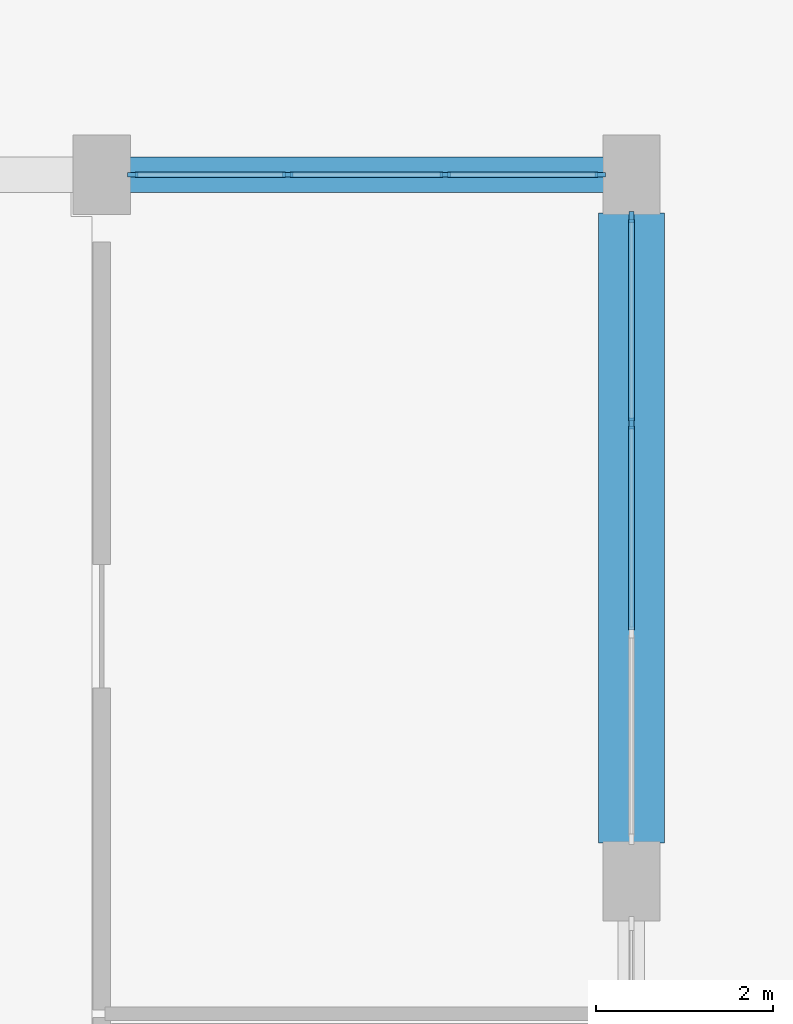
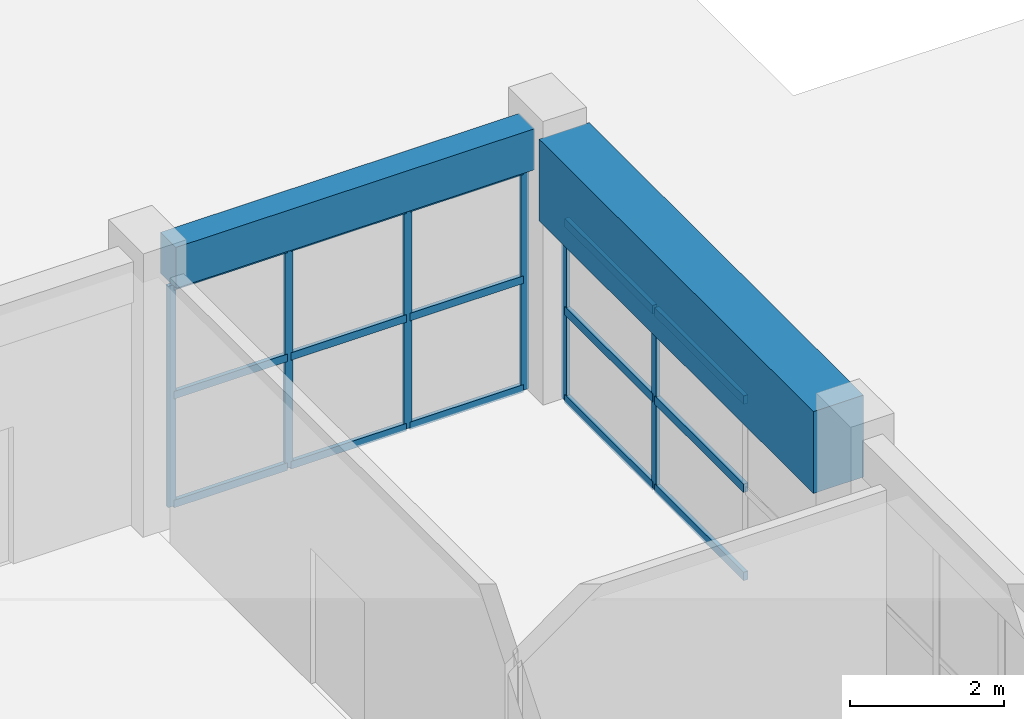
# One storey, part 28 of 76: 21 members, 2 beams, 2 elements without a shape of their own.
"""IFC4 building model written with IfcOpenShell, lengths in metres."""

from ifc_helpers import new_model, si_unit, direction, frame, origin, origin_2d, place, context, subcontext, project, spatial, rectangle, extrude, material, layer, layer_set, material_profile, profile_set, type_object, element, aggregate, save


model = new_model("IFC4")

# Units and contexts
model_context = context("Model", 3, precision=1e-05, world=origin(), true_north=direction((0.0, 1.0)))
body_context = subcontext(model_context, "Body", "Model", "MODEL_VIEW")
ifc_project = project(units=[si_unit("LENGTHUNIT", "METRE"), si_unit("AREAUNIT", "SQUARE_METRE"), si_unit("VOLUMEUNIT", "CUBIC_METRE"), si_unit("PLANEANGLEUNIT", "RADIAN"), si_unit("MASSUNIT", "GRAM", prefix="KILO"), si_unit("POWERUNIT", "WATT"), si_unit("THERMODYNAMICTEMPERATUREUNIT", "KELVIN")], contexts=[model_context])

# Site, building, storey
site_placement = place(None, origin())
site = spatial("IfcSite", under=ifc_project, at=site_placement, CompositionType="ELEMENT")
building_placement = place(site_placement, origin())
building = spatial("IfcBuilding", under=site, at=building_placement, Name="Ruvembo Vaulted Housing Court", CompositionType="ELEMENT")
storey_placement = place(building_placement, origin())
storey = spatial("IfcBuildingStorey", under=building, at=storey_placement, Name="L00", CompositionType="ELEMENT", Elevation=0.0)

# Beam
ifc_material_1 = material(Name="Concrete C35/45", Category="concrete")
ifc_material_profile_1 = material_profile(ifc_material_1, rectangle(XDim=0.39990234375, YDim=0.64990234375, at=origin_2d()), Name="RC 400x650")
ifc_profile_set_1 = profile_set([ifc_material_profile_1], Name="Concrete C35/45")
beam_type_1 = type_object("IfcBeamType", Name="BM-RC-400x650", PredefinedType="BEAM", material=ifc_profile_set_1)
beam_1_placement = place(storey_placement, frame((102.31005859375, 68.0, 3.905029296875), z_axis=(1.0, 0.0, 0.0), x_axis=(0.0, 1.0, 0.0)))
element("IfcBeam", 1, at=beam_1_placement, inside=storey, type_object=beam_type_1, Name="L00 Grid Beam X #851", PredefinedType="BEAM", context=body_context, shape_type="SweptSolid", body=[
    extrude(rectangle(XDim=0.39990234375, YDim=0.64990234375, at=origin_2d()), origin(), (0.0, 0.0, 1.0), 5.3798828125),
])

# Curtain wall, members
ifc_material_2 = material(Name="Anodised Aluminium and Solar-Control Glass", Category="aluminium")
ifc_layer_1 = layer(ifc_material_2, 0.159912109375, Name="Anodised Aluminium and Solar-Control Glass")
ifc_layer_set_1 = layer_set([ifc_layer_1], Name="Anodised Aluminium and Solar-Control Glass")
curtain_wall_type_1 = type_object("IfcCurtainWallType", Name="CW-HALL-SIDE", PredefinedType="NOTDEFINED", material=ifc_layer_set_1)
curtain_wall_1_placement = place(storey_placement, origin())
curtain_wall_1 = element("IfcCurtainWall", 2, at=curtain_wall_1_placement, inside=storey, type_object=curtain_wall_type_1, Name="L00 Curtain Wall CW-L00-0111", PredefinedType="NOTDEFINED")
ifc_material_3 = material(Name="Anodised Aluminium 6063-T6", Category="aluminium")
ifc_material_profile_2 = material_profile(ifc_material_3, rectangle(XDim=0.054931640625, YDim=0.1201171875, at=origin_2d()), Name="ALU 55x120")
ifc_profile_set_2 = profile_set([ifc_material_profile_2], Name="Anodised Aluminium 6063-T6")
member_type_1 = type_object("IfcMemberType", Name="CW-MUL-55x120", PredefinedType="MULLION", material=ifc_profile_set_2)
member_1_placement = place(storey_placement, frame((102.3525390625, 68.0, 0.0), z_axis=(0.0, 0.0, 1.0), x_axis=(0.0, 1.0, 0.0)))
member_1 = element("IfcMember", 3, at=member_1_placement, type_object=member_type_1, Name="CW1 mullion 1", PredefinedType="MULLION", context=body_context, shape_type="SweptSolid", body=[
    extrude(rectangle(XDim=0.054931640625, YDim=0.1201171875, at=origin_2d()), origin(), (0.0, 0.0, 1.0), 3.511962890625),
])
member_2_placement = place(storey_placement, frame((104.1083984375, 68.0, 0.0), z_axis=(0.0, 0.0, 1.0), x_axis=(0.0, 1.0, 0.0)))
member_2 = element("IfcMember", 4, at=member_2_placement, type_object=member_type_1, Name="CW1 mullion 2", PredefinedType="MULLION", context=body_context, shape_type="SweptSolid", body=[
    extrude(rectangle(XDim=0.054931640625, YDim=0.1201171875, at=origin_2d()), origin(), (0.0, 0.0, 1.0), 3.511962890625),
])
member_3_placement = place(storey_placement, frame((105.8916015625, 68.0, 0.0), z_axis=(0.0, 0.0, 1.0), x_axis=(0.0, 1.0, 0.0)))
member_3 = element("IfcMember", 5, at=member_3_placement, type_object=member_type_1, Name="CW1 mullion 3", PredefinedType="MULLION", context=body_context, shape_type="SweptSolid", body=[
    extrude(rectangle(XDim=0.054931640625, YDim=0.1201171875, at=origin_2d()), origin(), (0.0, 0.0, 1.0), 3.511962890625),
])
member_4_placement = place(storey_placement, frame((107.6474609375, 68.0, 0.0), z_axis=(0.0, 0.0, 1.0), x_axis=(0.0, 1.0, 0.0)))
member_4 = element("IfcMember", 6, at=member_4_placement, type_object=member_type_1, Name="CW1 mullion 4", PredefinedType="MULLION", context=body_context, shape_type="SweptSolid", body=[
    extrude(rectangle(XDim=0.054931640625, YDim=0.1201171875, at=origin_2d()), origin(), (0.0, 0.0, 1.0), 3.511962890625),
])

ifc_layer_2 = layer(ifc_material_2, 0.179931640625, Name="Anodised Aluminium and Solar-Control Glass")
ifc_layer_set_2 = layer_set([ifc_layer_2], Name="Anodised Aluminium and Solar-Control Glass")
curtain_wall_type_2 = type_object("IfcCurtainWallType", Name="CW-HALL-TYMP", PredefinedType="NOTDEFINED", material=ifc_layer_set_2)
curtain_wall_2_placement = place(storey_placement, origin())
curtain_wall_2 = element("IfcCurtainWall", 7, at=curtain_wall_2_placement, inside=storey, type_object=curtain_wall_type_2, Name="L00 Curtain Wall CW-L00-0127", PredefinedType="NOTDEFINED")
member_5_placement = place(storey_placement, frame((108.0, 65.183349609375, 0.0), z_axis=(0.0, 0.0, 1.0), x_axis=(-1.0, 0.0, 0.0)))
member_5 = element("IfcMember", 8, at=member_5_placement, type_object=member_type_1, Name="CW2 mullion 3", PredefinedType="MULLION", context=body_context, shape_type="SweptSolid", body=[
    extrude(rectangle(XDim=0.054931640625, YDim=0.1201171875, at=origin_2d()), origin(), (0.0, 0.0, 1.0), 2.862060546875),
])
member_6_placement = place(storey_placement, frame((108.0, 67.5224609375, 0.0), z_axis=(0.0, 0.0, 1.0), x_axis=(-1.0, 0.0, 0.0)))
member_6 = element("IfcMember", 9, at=member_6_placement, type_object=member_type_1, Name="CW2 mullion 4", PredefinedType="MULLION", context=body_context, shape_type="SweptSolid", body=[
    extrude(rectangle(XDim=0.054931640625, YDim=0.1201171875, at=origin_2d()), origin(), (0.0, 0.0, 1.0), 2.862060546875),
])

# Member
ifc_material_profile_3 = material_profile(ifc_material_3, rectangle(XDim=0.06005859375, YDim=0.1201171875, at=origin_2d()), Name="ALU 60x120")
ifc_profile_set_3 = profile_set([ifc_material_profile_3], Name="Anodised Aluminium 6063-T6")
member_type_2 = type_object("IfcMemberType", Name="CW-TRANSOM-65x120", PredefinedType="USERDEFINED", material=ifc_profile_set_3)
member_7_placement = place(storey_placement, frame((102.3798828125, 68.0, 0.030029296875), z_axis=(1.0, 0.0, 0.0), x_axis=(0.0, 1.0, 0.0)))
member_7 = element("IfcMember", 10, at=member_7_placement, type_object=member_type_2, Name="CW1 transom 1.1", ObjectType="TRANSOM", PredefinedType="USERDEFINED", context=body_context, shape_type="SweptSolid", body=[
    extrude(rectangle(XDim=0.06005859375, YDim=0.1201171875, at=origin_2d()), origin(), (0.0, 0.0, 1.0), 1.700927734375),
])

member_8_placement = place(storey_placement, frame((102.3798828125, 68.0, 1.756103515625), z_axis=(1.0, 0.0, 0.0), x_axis=(0.0, 1.0, 0.0)))
member_8 = element("IfcMember", 11, at=member_8_placement, type_object=member_type_2, Name="CW1 transom 1.2", ObjectType="TRANSOM", PredefinedType="USERDEFINED", context=body_context, shape_type="SweptSolid", body=[
    extrude(rectangle(XDim=0.06005859375, YDim=0.1201171875, at=origin_2d()), origin(), (0.0, 0.0, 1.0), 1.700927734375),
])

member_9_placement = place(storey_placement, frame((102.3798828125, 68.0, 3.48193359375), z_axis=(1.0, 0.0, 0.0), x_axis=(0.0, 1.0, 0.0)))
member_9 = element("IfcMember", 12, at=member_9_placement, type_object=member_type_2, Name="CW1 transom 1.3", ObjectType="TRANSOM", PredefinedType="USERDEFINED", context=body_context, shape_type="SweptSolid", body=[
    extrude(rectangle(XDim=0.06005859375, YDim=0.1201171875, at=origin_2d()), origin(), (0.0, 0.0, 1.0), 1.700927734375),
])

member_10_placement = place(storey_placement, frame((104.1357421875, 68.0, 0.030029296875), z_axis=(1.0, 0.0, 0.0), x_axis=(0.0, 1.0, 0.0)))
member_10 = element("IfcMember", 13, at=member_10_placement, type_object=member_type_2, Name="CW1 transom 2.1", ObjectType="TRANSOM", PredefinedType="USERDEFINED", context=body_context, shape_type="SweptSolid", body=[
    extrude(rectangle(XDim=0.06005859375, YDim=0.1201171875, at=origin_2d()), origin(), (0.0, 0.0, 1.0), 1.728515625),
])

member_11_placement = place(storey_placement, frame((104.1357421875, 68.0, 1.756103515625), z_axis=(1.0, 0.0, 0.0), x_axis=(0.0, 1.0, 0.0)))
member_11 = element("IfcMember", 14, at=member_11_placement, type_object=member_type_2, Name="CW1 transom 2.2", ObjectType="TRANSOM", PredefinedType="USERDEFINED", context=body_context, shape_type="SweptSolid", body=[
    extrude(rectangle(XDim=0.06005859375, YDim=0.1201171875, at=origin_2d()), origin(), (0.0, 0.0, 1.0), 1.728515625),
])

member_12_placement = place(storey_placement, frame((104.1357421875, 68.0, 3.48193359375), z_axis=(1.0, 0.0, 0.0), x_axis=(0.0, 1.0, 0.0)))
member_12 = element("IfcMember", 15, at=member_12_placement, type_object=member_type_2, Name="CW1 transom 2.3", ObjectType="TRANSOM", PredefinedType="USERDEFINED", context=body_context, shape_type="SweptSolid", body=[
    extrude(rectangle(XDim=0.06005859375, YDim=0.1201171875, at=origin_2d()), origin(), (0.0, 0.0, 1.0), 1.728515625),
])

member_13_placement = place(storey_placement, frame((105.919189453125, 68.0, 0.030029296875), z_axis=(1.0, 0.0, 0.0), x_axis=(0.0, 1.0, 0.0)))
member_13 = element("IfcMember", 16, at=member_13_placement, type_object=member_type_2, Name="CW1 transom 3.1", ObjectType="TRANSOM", PredefinedType="USERDEFINED", context=body_context, shape_type="SweptSolid", body=[
    extrude(rectangle(XDim=0.06005859375, YDim=0.1201171875, at=origin_2d()), origin(), (0.0, 0.0, 1.0), 1.700927734375),
])

member_14_placement = place(storey_placement, frame((105.919189453125, 68.0, 1.756103515625), z_axis=(1.0, 0.0, 0.0), x_axis=(0.0, 1.0, 0.0)))
member_14 = element("IfcMember", 17, at=member_14_placement, type_object=member_type_2, Name="CW1 transom 3.2", ObjectType="TRANSOM", PredefinedType="USERDEFINED", context=body_context, shape_type="SweptSolid", body=[
    extrude(rectangle(XDim=0.06005859375, YDim=0.1201171875, at=origin_2d()), origin(), (0.0, 0.0, 1.0), 1.700927734375),
])

member_15_placement = place(storey_placement, frame((105.919189453125, 68.0, 3.48193359375), z_axis=(1.0, 0.0, 0.0), x_axis=(0.0, 1.0, 0.0)))
member_15 = element("IfcMember", 18, at=member_15_placement, type_object=member_type_2, Name="CW1 transom 3.3", ObjectType="TRANSOM", PredefinedType="USERDEFINED", context=body_context, shape_type="SweptSolid", body=[
    extrude(rectangle(XDim=0.06005859375, YDim=0.1201171875, at=origin_2d()), origin(), (0.0, 0.0, 1.0), 1.700927734375),
])

aggregate(curtain_wall_1, [member_1, member_2, member_3, member_4, member_7, member_8, member_9, member_10, member_11, member_12, member_13, member_14, member_15])

ifc_material_profile_4 = material_profile(ifc_material_3, rectangle(XDim=0.06494140625, YDim=0.135009765625, at=origin_2d()), Name="ALU 65x135")
ifc_profile_set_4 = profile_set([ifc_material_profile_4], Name="Anodised Aluminium 6063-T6")
member_type_3 = type_object("IfcMemberType", Name="CW-TRN-65x135", PredefinedType="USERDEFINED", material=ifc_profile_set_4)
member_16_placement = place(storey_placement, frame((108.0, 62.84423828125, 0.032470703125), z_axis=(0.0, 1.0, 0.0), x_axis=(-1.0, 0.0, 0.0)))
member_16 = element("IfcMember", 19, at=member_16_placement, type_object=member_type_3, Name="CW2 transom 2.1", ObjectType="TRANSOM", PredefinedType="USERDEFINED", context=body_context, shape_type="SweptSolid", body=[
    extrude(rectangle(XDim=0.06494140625, YDim=0.135009765625, at=origin_2d()), origin(), (0.0, 0.0, 1.0), 2.3115234375),
])

member_17_placement = place(storey_placement, frame((108.0, 62.84423828125, 1.430908203125), z_axis=(0.0, 1.0, 0.0), x_axis=(-1.0, 0.0, 0.0)))
member_17 = element("IfcMember", 20, at=member_17_placement, type_object=member_type_3, Name="CW2 transom 2.2", ObjectType="TRANSOM", PredefinedType="USERDEFINED", context=body_context, shape_type="SweptSolid", body=[
    extrude(rectangle(XDim=0.06494140625, YDim=0.135009765625, at=origin_2d()), origin(), (0.0, 0.0, 1.0), 2.3115234375),
])

member_18_placement = place(storey_placement, frame((108.0, 62.84423828125, 2.82958984375), z_axis=(0.0, 1.0, 0.0), x_axis=(-1.0, 0.0, 0.0)))
member_18 = element("IfcMember", 21, at=member_18_placement, type_object=member_type_3, Name="CW2 transom 2.3", ObjectType="TRANSOM", PredefinedType="USERDEFINED", context=body_context, shape_type="SweptSolid", body=[
    extrude(rectangle(XDim=0.06494140625, YDim=0.135009765625, at=origin_2d()), origin(), (0.0, 0.0, 1.0), 2.3115234375),
])

member_19_placement = place(storey_placement, frame((108.0, 65.2109375, 0.032470703125), z_axis=(0.0, 1.0, 0.0), x_axis=(-1.0, 0.0, 0.0)))
member_19 = element("IfcMember", 22, at=member_19_placement, type_object=member_type_3, Name="CW2 transom 3.1", ObjectType="TRANSOM", PredefinedType="USERDEFINED", context=body_context, shape_type="SweptSolid", body=[
    extrude(rectangle(XDim=0.06494140625, YDim=0.135009765625, at=origin_2d()), origin(), (0.0, 0.0, 1.0), 2.2841796875),
])

member_20_placement = place(storey_placement, frame((108.0, 65.2109375, 1.430908203125), z_axis=(0.0, 1.0, 0.0), x_axis=(-1.0, 0.0, 0.0)))
member_20 = element("IfcMember", 23, at=member_20_placement, type_object=member_type_3, Name="CW2 transom 3.2", ObjectType="TRANSOM", PredefinedType="USERDEFINED", context=body_context, shape_type="SweptSolid", body=[
    extrude(rectangle(XDim=0.06494140625, YDim=0.135009765625, at=origin_2d()), origin(), (0.0, 0.0, 1.0), 2.2841796875),
])

member_21_placement = place(storey_placement, frame((108.0, 65.2109375, 2.82958984375), z_axis=(0.0, 1.0, 0.0), x_axis=(-1.0, 0.0, 0.0)))
member_21 = element("IfcMember", 24, at=member_21_placement, type_object=member_type_3, Name="CW2 transom 3.3", ObjectType="TRANSOM", PredefinedType="USERDEFINED", context=body_context, shape_type="SweptSolid", body=[
    extrude(rectangle(XDim=0.06494140625, YDim=0.135009765625, at=origin_2d()), origin(), (0.0, 0.0, 1.0), 2.2841796875),
])

aggregate(curtain_wall_2, [member_5, member_6, member_16, member_17, member_18, member_19, member_20, member_21])

# Beam
ifc_material_4 = material(Name="Concrete C40/50", Category="concrete")
ifc_material_profile_5 = material_profile(ifc_material_4, rectangle(XDim=0.75, YDim=1.300048828125, at=origin_2d()), Name="RC 750x1300")
ifc_profile_set_5 = profile_set([ifc_material_profile_5], Name="Concrete C40/50")
beam_type_2 = type_object("IfcBeamType", Name="TB-RC-750x1300", PredefinedType="BEAM", material=ifc_profile_set_5)
beam_2_placement = place(storey_placement, frame((108.0, 60.43505859375, 3.580078125), z_axis=(0.0, 1.0, 0.0), x_axis=(-1.0, 0.0, 0.0)))
element("IfcBeam", 25, at=beam_2_placement, inside=storey, type_object=beam_type_2, Name="L00 Grid Beam Y #1048", PredefinedType="BEAM", context=body_context, shape_type="SweptSolid", body=[
    extrude(rectangle(XDim=0.75, YDim=1.300048828125, at=origin_2d()), origin(), (0.0, 0.0, 1.0), 7.1298828125),
])

save(model, "model.ifc")
